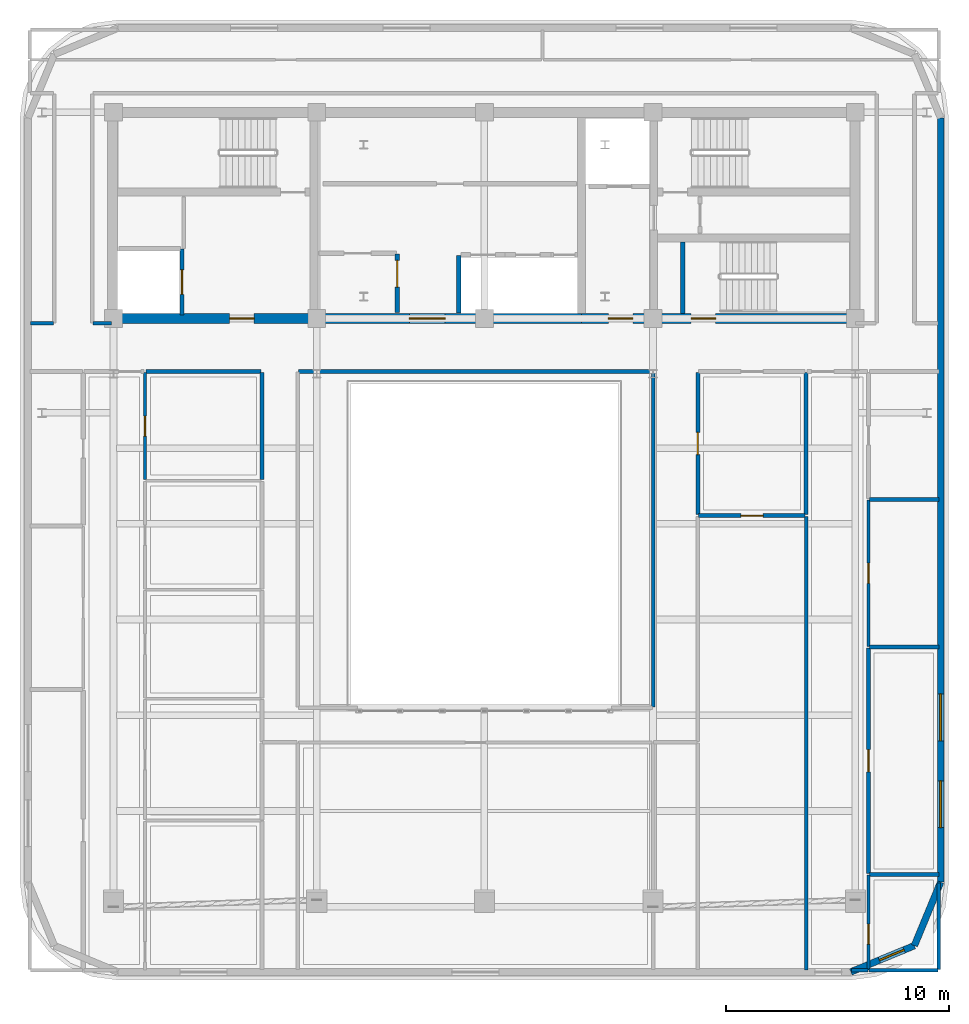
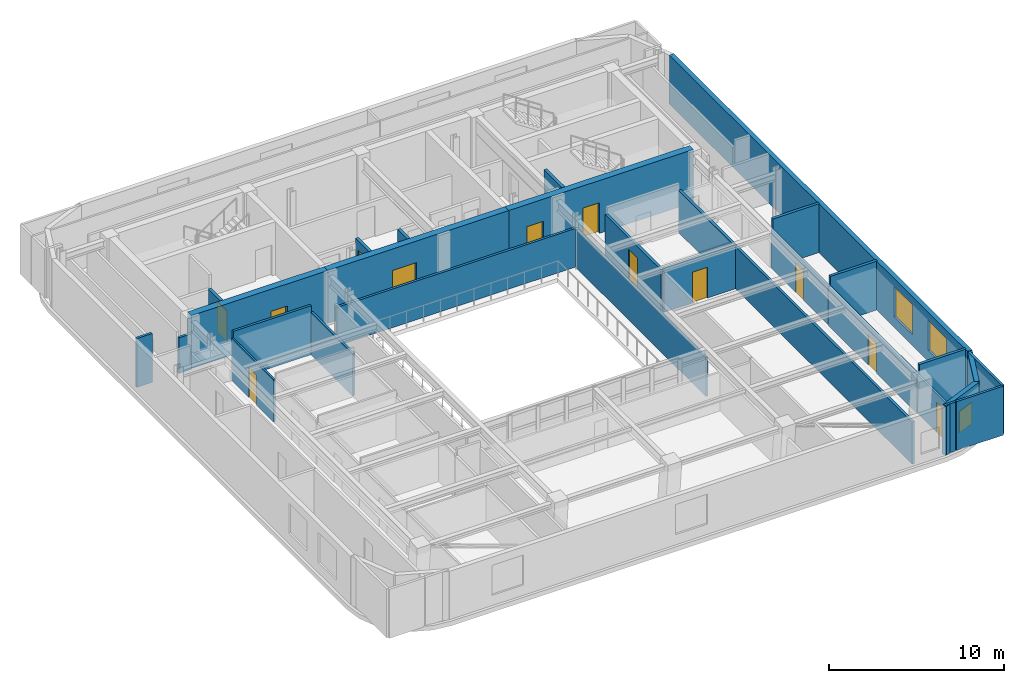
# One storey, part 7 of 12: 30 walls, 12 doors, 3 windows, 15 openings.
"""IFC4 building model written with IfcOpenShell, lengths in metres."""

from ifc_helpers import new_model, si_unit, direction, frame, frame_2d, origin, place, context, subcontext, project, spatial, rectangle, extrude, material, layer, layer_set, type_object, element, fill, save


model = new_model("IFC4")

# Units and contexts
model_context = context("Model", 3, precision=1e-05, world=origin(), true_north=direction((0.0, 1.0)))
body_context = subcontext(model_context, "Body", "Model", "MODEL_VIEW")
ifc_project = project(units=[si_unit("LENGTHUNIT", "METRE"), si_unit("AREAUNIT", "SQUARE_METRE"), si_unit("VOLUMEUNIT", "CUBIC_METRE"), si_unit("PLANEANGLEUNIT", "RADIAN"), si_unit("MASSUNIT", "GRAM", prefix="KILO")], contexts=[model_context])

# Site, building, storey
site_placement = place(None, origin())
site = spatial("IfcSite", under=ifc_project, at=site_placement, CompositionType="ELEMENT")
building_placement = place(site_placement, origin())
building = spatial("IfcBuilding", under=site, at=building_placement, Name="Zarnavel Station Tower", CompositionType="ELEMENT")
storey_placement = place(building_placement, frame((0.0, 0.0, 269.5)))
storey = spatial("IfcBuildingStorey", under=building, at=storey_placement, Name="L73", CompositionType="ELEMENT", Elevation=269.5)

# Wall, opening, door
ifc_material_1 = material(Name="Concrete C50/60", Category="concrete")
ifc_layer_1 = layer(ifc_material_1, 0.449951171875)
ifc_layer_set_1 = layer_set([ifc_layer_1], Name="CW_450")
wall_type_1 = type_object("IfcWallType", Name="CW_450", PredefinedType="SHEAR", material=ifc_layer_set_1)
wall_1_placement = place(storey_placement, frame((21.179931640625, 27.820068359375, 0.0), z_axis=(0.0, 0.0, 1.0), x_axis=(-1.0, 0.0, 0.0)))
wall_1 = element("IfcWall", 1, at=wall_1_placement, inside=storey, type_object=wall_type_1, Name="L73 Rear Core Shear Wall S-W", PredefinedType="SHEAR", context=body_context, shape_type="SweptSolid", body=[
    extrude(rectangle(XDim=9.030029296875, YDim=0.449951171875, at=frame_2d((4.51513671875, 0.0))), origin(), (0.0, 0.0, 1.0), 3.699951171875),
])
opening_1_placement = place(wall_1_placement, frame((2.679931640625, 0.0, 0.0)))
opening_1 = element("IfcOpeningElement", 2, at=opening_1_placement, cuts=wall_1, Name="Opening FD01", PredefinedType="OPENING", context=body_context, shape_type="SweptSolid", body=[
    extrude(rectangle(XDim=1.10009765625, YDim=2.14990234375, at=frame_2d((0.550048828125, 1.074951171875))), frame((0.0, 0.23486328125, 0.0), z_axis=(0.0, -1.0, 0.0), x_axis=(1.0, 0.0, 0.0)), (0.0, 0.0, 1.0), 0.469970703125),
])
ifc_material_2 = material(Name="Painted Galvanised Steel and Hardwood Leaf", Category="steel")
door_type_1 = type_object("IfcDoorType", Name="ID_STAIR_1100", OperationType="NOTDEFINED", PredefinedType="DOOR", material=ifc_material_2)
door_1_placement = place(opening_1_placement, origin())
door_1 = element("IfcDoor", 3, at=door_1_placement, inside=storey, type_object=door_type_1, Name="L73 West Firefighting Lobby Door", OperationType="SINGLE_SWING_RIGHT", OverallHeight=2.14990234375, OverallWidth=1.10009765625, PredefinedType="DOOR", context=body_context, shape_type="SweptSolid", body=[
    extrude(rectangle(XDim=1.10009765625, YDim=2.14990234375, at=frame_2d((0.550048828125, 1.074951171875))), frame((0.0, 0.02490234375, 0.0), z_axis=(0.0, -1.0, 0.0), x_axis=(1.0, 0.0, 0.0)), (0.0, 0.0, 1.0), 0.050048828125),
])
fill(opening_1, door_1)

wall_2_placement = place(storey_placement, frame((33.14990234375, 27.820068359375, 0.0), z_axis=(0.0, 0.0, 1.0), x_axis=(-1.0, 0.0, 0.0)))
wall_2 = element("IfcWall", 4, at=wall_2_placement, inside=storey, type_object=wall_type_1, Name="L73 Rear Core Shear Wall S-M", PredefinedType="SHEAR", context=body_context, shape_type="SweptSolid", body=[
    extrude(rectangle(XDim=11.969970703125, YDim=0.449951171875, at=frame_2d((5.98486328125, 0.0))), origin(), (0.0, 0.0, 1.0), 3.699951171875),
])
opening_2_placement = place(wall_2_placement, frame((6.10009765625, 0.0, 0.0)))
opening_2 = element("IfcOpeningElement", 5, at=opening_2_placement, cuts=wall_2, Name="Opening ID03", PredefinedType="OPENING", context=body_context, shape_type="SweptSolid", body=[
    extrude(rectangle(XDim=1.60009765625, YDim=2.199951171875, at=frame_2d((0.800048828125, 1.10009765625))), frame((0.0, 0.23486328125, 0.0), z_axis=(0.0, -1.0, 0.0), x_axis=(1.0, 0.0, 0.0)), (0.0, 0.0, 1.0), 0.469970703125),
])
ifc_material_3 = material(Name="Painted Galvanised Steel and Hardwood Leaf", Category="steel")
door_type_2 = type_object("IfcDoorType", Name="ID_PUBLIC_1600", OperationType="DOUBLE_DOOR_SINGLE_SWING", PredefinedType="DOOR", material=ifc_material_3)
door_2_placement = place(opening_2_placement, origin())
door_2 = element("IfcDoor", 6, at=door_2_placement, inside=storey, type_object=door_type_2, Name="L73 Passenger Lift Lobby Double Door", OperationType="SINGLE_SWING_LEFT", OverallHeight=2.199951171875, OverallWidth=1.60009765625, PredefinedType="DOOR", context=body_context, shape_type="SweptSolid", body=[
    extrude(rectangle(XDim=1.60009765625, YDim=2.199951171875, at=frame_2d((0.800048828125, 1.10009765625))), frame((0.0, 0.02490234375, 0.0), z_axis=(0.0, -1.0, 0.0), x_axis=(1.0, 0.0, 0.0)), (0.0, 0.0, 1.0), 0.050048828125),
])
fill(opening_2, door_2)

# Wall, openings, doors
wall_3_placement = place(storey_placement, frame((45.3798828125, 27.820068359375, 0.0), z_axis=(0.0, 0.0, 1.0), x_axis=(-1.0, 0.0, 0.0)))
wall_3 = element("IfcWall", 7, at=wall_3_placement, inside=storey, type_object=wall_type_1, Name="L73 Rear Core Shear Wall S-E", PredefinedType="SHEAR", context=body_context, shape_type="SweptSolid", body=[
    extrude(rectangle(XDim=12.22998046875, YDim=0.449951171875, at=frame_2d((6.114990234375, 0.0))), origin(), (0.0, 0.0, 1.0), 3.699951171875),
])
opening_3_placement = place(wall_3_placement, frame((9.929931640625, 0.0, 0.0)))
opening_3 = element("IfcOpeningElement", 8, at=opening_3_placement, cuts=wall_3, Name="Opening FD01", PredefinedType="OPENING", context=body_context, shape_type="SweptSolid", body=[
    extrude(rectangle(XDim=1.10009765625, YDim=2.14990234375, at=frame_2d((0.550048828125, 1.074951171875))), frame((0.0, 0.23486328125, 0.0), z_axis=(0.0, -1.0, 0.0), x_axis=(1.0, 0.0, 0.0)), (0.0, 0.0, 1.0), 0.469970703125),
])
opening_4_placement = place(wall_3_placement, frame((6.22998046875, 0.0, 0.0)))
opening_4 = element("IfcOpeningElement", 9, at=opening_4_placement, cuts=wall_3, Name="Opening FD01", PredefinedType="OPENING", context=body_context, shape_type="SweptSolid", body=[
    extrude(rectangle(XDim=1.10009765625, YDim=2.14990234375, at=frame_2d((0.550048828125, 1.074951171875))), frame((0.0, 0.23486328125, 0.0), z_axis=(0.0, -1.0, 0.0), x_axis=(1.0, 0.0, 0.0)), (0.0, 0.0, 1.0), 0.469970703125),
])
door_3_placement = place(opening_3_placement, origin())
door_3 = element("IfcDoor", 10, at=door_3_placement, inside=storey, type_object=door_type_1, Name="L73 East Firefighting Lobby Door", OperationType="SINGLE_SWING_LEFT", OverallHeight=2.14990234375, OverallWidth=1.10009765625, PredefinedType="DOOR", context=body_context, shape_type="SweptSolid", body=[
    extrude(rectangle(XDim=1.10009765625, YDim=2.14990234375, at=frame_2d((0.550048828125, 1.074951171875))), frame((0.0, 0.02490234375, 0.0), z_axis=(0.0, -1.0, 0.0), x_axis=(1.0, 0.0, 0.0)), (0.0, 0.0, 1.0), 0.050048828125),
])
fill(opening_3, door_3)
door_4_placement = place(opening_4_placement, origin())
door_4 = element("IfcDoor", 11, at=door_4_placement, inside=storey, type_object=door_type_1, Name="L73 Stair ST3 Corridor Fire Door", OperationType="SINGLE_SWING_RIGHT", OverallHeight=2.14990234375, OverallWidth=1.10009765625, PredefinedType="DOOR", context=body_context, shape_type="SweptSolid", body=[
    extrude(rectangle(XDim=1.10009765625, YDim=2.14990234375, at=frame_2d((0.550048828125, 1.074951171875))), frame((0.0, 0.02490234375, 0.0), z_axis=(0.0, -1.0, 0.0), x_axis=(1.0, 0.0, 0.0)), (0.0, 0.0, 1.0), 0.050048828125),
])
fill(opening_4, door_4)

# Wall, opening, window
ifc_material_4 = material(Name="Precast concrete C45/55 (Dark Basalt Finish)", Category="masonry")
ifc_layer_2 = layer(ifc_material_4, 0.300048828125)
ifc_layer_set_2 = layer_set([ifc_layer_2], Name="EW_BASALT_300")
wall_type_2 = type_object("IfcWallType", Name="EW_BASALT_300", PredefinedType="SOLIDWALL", material=ifc_layer_set_2)
wall_4_placement = place(storey_placement, frame((48.04248046875, -0.24267578125, 0.0), z_axis=(0.0, 0.0, 1.0), x_axis=(-0.92389884758, -0.382636798336, 0.0)))
wall_4 = element("IfcWall", 12, at=wall_4_placement, inside=storey, type_object=wall_type_2, Name="L73 Exterior Basalt Masonry Frame Wall 01", PredefinedType="SOLIDWALL", context=body_context, shape_type="SweptSolid", body=[
    extrude(rectangle(XDim=3.07666015625, YDim=0.300048828125, at=frame_2d((1.538330078125, 0.0))), origin(), (0.0, 0.0, 1.0), 3.419921875),
])
opening_5_placement = place(wall_4_placement, frame((0.49658203125, 0.0, 0.75)))
opening_5 = element("IfcOpeningElement", 13, at=opening_5_placement, cuts=wall_4, Name="Opening WN08", PredefinedType="OPENING", context=body_context, shape_type="SweptSolid", body=[
    extrude(rectangle(XDim=1.199951171875, YDim=1.5, at=frame_2d((0.60009765625, 0.75))), frame((0.0, 0.159912109375, 0.0), z_axis=(0.0, -1.0, 0.0), x_axis=(1.0, 0.0, 0.0)), (0.0, 0.0, 1.0), 0.320068359375),
])
ifc_material_5 = material(Name="Thermally Broken Black Aluminium and Low-E Dark Glass", Category="aluminium")
window_type_1 = type_object("IfcWindowType", Name="WN_1200x1500", PartitioningType="SINGLE_PANEL", PredefinedType="WINDOW", material=ifc_material_5)
window_1_placement = place(opening_5_placement, origin())
window_1 = element("IfcWindow", 14, at=window_1_placement, inside=storey, type_object=window_type_1, Name="L73 Recessed Facade Window 01", OverallHeight=1.5, OverallWidth=1.199951171875, PartitioningType="SINGLE_PANEL", PredefinedType="WINDOW", context=body_context, shape_type="SweptSolid", body=[
    extrude(rectangle(XDim=1.199951171875, YDim=1.5, at=frame_2d((0.60009765625, 0.75))), frame((0.0, 0.030029296875, 0.0), z_axis=(0.0, -1.0, 0.0), x_axis=(1.0, 0.0, 0.0)), (0.0, 0.0, 1.0), 0.06005859375),
])
fill(opening_5, window_1)

# Wall
wall_5_placement = place(storey_placement, frame((49.219970703125, 2.60009765625, 0.0), z_axis=(0.0, 0.0, 1.0), x_axis=(-0.382676475685, -0.923882414032, 0.0)))
element("IfcWall", 15, at=wall_5_placement, inside=storey, type_object=wall_type_2, Name="L73 Exterior Basalt Masonry Frame Wall 02", PredefinedType="SOLIDWALL", context=body_context, shape_type="SweptSolid", body=[
    extrude(rectangle(XDim=3.076904296875, YDim=0.300048828125, at=frame_2d((1.53857421875, 0.0))), origin(), (0.0, 0.0, 1.0), 3.419921875),
])

# Wall, openings, windows
wall_6_placement = place(storey_placement, frame((49.219970703125, 36.800048828125, 0.0), z_axis=(0.0, 0.0, 1.0), x_axis=(0.0, -1.0, 0.0)))
wall_6 = element("IfcWall", 16, at=wall_6_placement, inside=storey, type_object=wall_type_2, Name="L73 Exterior Basalt Masonry Frame Wall 03", PredefinedType="SOLIDWALL", context=body_context, shape_type="SweptSolid", body=[
    extrude(rectangle(XDim=34.199951171875, YDim=0.300048828125, at=frame_2d((17.10009765625, 0.0))), origin(), (0.0, 0.0, 1.0), 3.419921875),
])
opening_6_placement = place(wall_6_placement, frame((25.775390625, 0.0, 0.75)))
opening_6 = element("IfcOpeningElement", 17, at=opening_6_placement, cuts=wall_6, Name="Opening WN05", PredefinedType="OPENING", context=body_context, shape_type="SweptSolid", body=[
    extrude(rectangle(XDim=2.10009765625, YDim=2.10009765625, at=frame_2d((1.050048828125, 1.050048828125))), frame((0.0, 0.159912109375, 0.0), z_axis=(0.0, -1.0, 0.0), x_axis=(1.0, 0.0, 0.0)), (0.0, 0.0, 1.0), 0.320068359375),
])
opening_7_placement = place(wall_6_placement, frame((29.663818359375, 0.0, 0.75)))
opening_7 = element("IfcOpeningElement", 18, at=opening_7_placement, cuts=wall_6, Name="Opening WN05", PredefinedType="OPENING", context=body_context, shape_type="SweptSolid", body=[
    extrude(rectangle(XDim=2.10009765625, YDim=2.10009765625, at=frame_2d((1.050048828125, 1.050048828125))), frame((0.0, 0.159912109375, 0.0), z_axis=(0.0, -1.0, 0.0), x_axis=(1.0, 0.0, 0.0)), (0.0, 0.0, 1.0), 0.320068359375),
])
ifc_material_6 = material(Name="Thermally Broken Black Aluminium and Low-E Dark Glass", Category="aluminium")
window_type_2 = type_object("IfcWindowType", Name="WN_2100x2100", PartitioningType="TRIPLE_PANEL_VERTICAL", PredefinedType="WINDOW", material=ifc_material_6)
window_2_placement = place(opening_6_placement, origin())
window_2 = element("IfcWindow", 19, at=window_2_placement, inside=storey, type_object=window_type_2, Name="L73 Recessed Facade Window 01", OverallHeight=2.10009765625, OverallWidth=2.10009765625, PartitioningType="SINGLE_PANEL", PredefinedType="WINDOW", context=body_context, shape_type="SweptSolid", body=[
    extrude(rectangle(XDim=2.10009765625, YDim=2.10009765625, at=frame_2d((1.050048828125, 1.050048828125))), frame((0.0, 0.030029296875, 0.0), z_axis=(0.0, -1.0, 0.0), x_axis=(1.0, 0.0, 0.0)), (0.0, 0.0, 1.0), 0.06005859375),
])
fill(opening_6, window_2)
window_3_placement = place(opening_7_placement, origin())
window_3 = element("IfcWindow", 20, at=window_3_placement, inside=storey, type_object=window_type_2, Name="L73 Recessed Facade Window 02", OverallHeight=2.10009765625, OverallWidth=2.10009765625, PartitioningType="SINGLE_PANEL", PredefinedType="WINDOW", context=body_context, shape_type="SweptSolid", body=[
    extrude(rectangle(XDim=2.10009765625, YDim=2.10009765625, at=frame_2d((1.050048828125, 1.050048828125))), frame((0.0, 0.030029296875, 0.0), z_axis=(0.0, -1.0, 0.0), x_axis=(1.0, 0.0, 0.0)), (0.0, 0.0, 1.0), 0.06005859375),
])
fill(opening_7, window_3)

# Walls
ifc_material_7 = material(Name="Gypsum Twin-Stud Acoustic Fire Partition", Category="concrete")
ifc_layer_3 = layer(ifc_material_7, 0.159912109375)
ifc_layer_set_3 = layer_set([ifc_layer_3], Name="PT_DEMISE_160")
wall_type_3 = type_object("IfcWallType", Name="PT_DEMISE_160", PredefinedType="PARTITIONING", material=ifc_layer_set_3)
wall_7_placement = place(storey_placement, frame((13.652099609375, 25.449951171875, 0.0), z_axis=(0.0, 0.0, 1.0), x_axis=(1.0, 0.0, 0.0)))
element("IfcWall", 21, at=wall_7_placement, inside=storey, type_object=wall_type_3, Name="L73 Partition COR-S-UW1B5", PredefinedType="PARTITIONING", context=body_context, shape_type="SweptSolid", body=[
    extrude(rectangle(XDim=5.157958984375, YDim=0.159912109375, at=frame_2d((2.5791015625, 0.0))), origin(), (0.0, 0.0, 1.0), 3.419921875),
])
wall_8_placement = place(storey_placement, frame((18.85009765625, 20.60791015625, 0.0), z_axis=(0.0, 0.0, 1.0), x_axis=(0.0, 1.0, 0.0)))
element("IfcWall", 22, at=wall_8_placement, inside=storey, type_object=wall_type_3, Name="L73 Partition COR-AW-UW1B5", PredefinedType="PARTITIONING", context=body_context, shape_type="SweptSolid", body=[
    extrude(rectangle(XDim=4.802001953125, YDim=0.159912109375, at=frame_2d((2.40087890625, 0.0))), origin(), (0.0, 0.0, 1.0), 2.9599609375),
])
wall_9_placement = place(storey_placement, frame((43.199951171875, -1.340087890625, 0.0), z_axis=(0.0, 0.0, 1.0), x_axis=(0.0, 1.0, 0.0)))
element("IfcWall", 23, at=wall_9_placement, inside=storey, type_object=wall_type_3, Name="L73 Partition L73STR-UE1LV", PredefinedType="PARTITIONING", context=body_context, shape_type="SweptSolid", body=[
    extrude(rectangle(XDim=20.300048828125, YDim=0.159912109375, at=frame_2d((10.14990234375, 0.0))), origin(), (0.0, 0.0, 1.0), 2.9599609375),
])
wall_10_placement = place(storey_placement, frame((20.47998046875, 25.449951171875, 0.0), z_axis=(0.0, 0.0, 1.0), x_axis=(1.0, 0.0, 0.0)))
element("IfcWall", 24, at=wall_10_placement, inside=storey, type_object=wall_type_3, Name="L73 Enclosure Wall COR-S", PredefinedType="PARTITIONING", context=body_context, shape_type="SweptSolid", body=[
    extrude(rectangle(XDim=15.840087890625, YDim=0.159912109375, at=frame_2d((7.919921875, 0.0))), origin(), (0.0, 0.0, 1.0), 2.699951171875),
])
wall_11_placement = place(storey_placement, frame((8.489990234375, 27.60009765625, 0.0), z_axis=(0.0, 0.0, 1.0), x_axis=(1.0, 0.0, 0.0)))
element("IfcWall", 25, at=wall_11_placement, inside=storey, type_object=wall_type_3, Name="L73 Enclosure Wall COR-S", PredefinedType="PARTITIONING", context=body_context, shape_type="SweptSolid", body=[
    extrude(rectangle(XDim=1.030029296875, YDim=0.159912109375, at=frame_2d((0.51513671875, 0.0))), origin(), (0.0, 0.0, 1.0), 3.419921875),
])
wall_12_placement = place(storey_placement, frame((11.280029296875, 27.60009765625, 0.0), z_axis=(0.0, 0.0, 1.0), x_axis=(1.0, 0.0, 0.0)))
element("IfcWall", 26, at=wall_12_placement, inside=storey, type_object=wall_type_3, Name="L73 Enclosure Wall COR-S", PredefinedType="PARTITIONING", context=body_context, shape_type="SweptSolid", body=[
    extrude(rectangle(XDim=0.840087890625, YDim=0.159912109375, at=frame_2d((0.419921875, 0.0))), origin(), (0.0, 0.0, 1.0), 2.489990234375),
])
wall_13_placement = place(storey_placement, frame((36.35009765625, 10.429931640625, 0.0), z_axis=(0.0, 0.0, 1.0), x_axis=(0.0, 1.0, 0.0)))
element("IfcWall", 27, at=wall_13_placement, inside=storey, type_object=wall_type_3, Name="L73 Enclosure Wall COR-AE", PredefinedType="PARTITIONING", context=body_context, shape_type="SweptSolid", body=[
    extrude(rectangle(XDim=14.989990234375, YDim=0.159912109375, at=frame_2d((7.4951171875, 0.0))), origin(), (0.0, 0.0, 1.0), 2.699951171875),
])
wall_14_placement = place(storey_placement, frame((45.22998046875, -1.340087890625, 0.0), z_axis=(0.0, 0.0, 1.0), x_axis=(1.0, 0.0, 0.0)))
element("IfcWall", 28, at=wall_14_placement, inside=storey, type_object=wall_type_3, Name="L73 Enclosure Wall UE1LV", PredefinedType="PARTITIONING", context=body_context, shape_type="SweptSolid", body=[
    extrude(rectangle(XDim=0.73193359375, YDim=0.159912109375, at=frame_2d((0.365966796875, 0.0))), origin(), (0.0, 0.0, 1.0), 3.419921875),
])
wall_15_placement = place(storey_placement, frame((46.02197265625, -1.340087890625, 0.0), z_axis=(0.0, 0.0, 1.0), x_axis=(1.0, 0.0, 0.0)))
element("IfcWall", 29, at=wall_15_placement, inside=storey, type_object=wall_type_3, Name="L73 Enclosure Wall UE1B1", PredefinedType="PARTITIONING", context=body_context, shape_type="SweptSolid", body=[
    extrude(rectangle(XDim=3.088134765625, YDim=0.159912109375, at=frame_2d((1.5439453125, 0.0))), origin(), (0.0, 0.0, 1.0), 3.419921875),
])
wall_16_placement = place(storey_placement, frame((49.139892578125, -1.31005859375, 0.0), z_axis=(0.0, 0.0, 1.0), x_axis=(0.0, 1.0, 0.0)))
element("IfcWall", 30, at=wall_16_placement, inside=storey, type_object=wall_type_3, Name="L73 Enclosure Wall UE1B1", PredefinedType="PARTITIONING", context=body_context, shape_type="SweptSolid", body=[
    extrude(rectangle(XDim=3.880126953125, YDim=0.159912109375, at=frame_2d((1.93994140625, 0.0))), origin(), (0.0, 0.0, 1.0), 3.419921875),
])

# Wall, opening, door
ifc_material_8 = material(Name="Gypsum Metal-Stud Interior Partition", Category="concrete")
ifc_layer_4 = layer(ifc_material_8, 0.1201171875)
ifc_layer_set_4 = layer_set([ifc_layer_4], Name="PT_ROOM_120")
wall_type_4 = type_object("IfcWallType", Name="PT_ROOM_120", PredefinedType="PARTITIONING", material=ifc_layer_set_4)
wall_17_placement = place(storey_placement, frame((13.612060546875, 20.60791015625, 0.0), z_axis=(0.0, 0.0, 1.0), x_axis=(0.0, 1.0, 0.0)))
wall_17 = element("IfcWall", 31, at=wall_17_placement, inside=storey, type_object=wall_type_4, Name="L73 Partition UW1LV-UW1B5", PredefinedType="PARTITIONING", context=body_context, shape_type="SweptSolid", body=[
    extrude(rectangle(XDim=4.802001953125, YDim=0.1201171875, at=frame_2d((2.40087890625, 0.0))), origin(), (0.0, 0.0, 1.0), 2.9599609375),
])
opening_8_placement = place(wall_17_placement, frame((1.950927734375, 0.0, 0.0)))
opening_8 = element("IfcOpeningElement", 32, at=opening_8_placement, cuts=wall_17, Name="Opening ID01", PredefinedType="OPENING", context=body_context, shape_type="SweptSolid", body=[
    extrude(rectangle(XDim=0.89990234375, YDim=2.10009765625, at=frame_2d((0.449951171875, 1.050048828125))), frame((0.0, 0.070068359375, 0.0), z_axis=(0.0, -1.0, 0.0), x_axis=(1.0, 0.0, 0.0)), (0.0, 0.0, 1.0), 0.14013671875),
])
ifc_material_9 = material(Name="Painted Galvanised Steel and Hardwood Leaf", Category="steel")
door_type_3 = type_object("IfcDoorType", Name="ID_ROOM_900", OperationType="NOTDEFINED", PredefinedType="DOOR", material=ifc_material_9)
door_5_placement = place(opening_8_placement, origin())
door_5 = element("IfcDoor", 33, at=door_5_placement, inside=storey, type_object=door_type_3, Name="L73 Door UW1LV-UW1B5", OperationType="SINGLE_SWING_LEFT", OverallHeight=2.10009765625, OverallWidth=0.89990234375, PredefinedType="DOOR", context=body_context, shape_type="SweptSolid", body=[
    extrude(rectangle(XDim=0.89990234375, YDim=2.10009765625, at=frame_2d((0.449951171875, 1.050048828125))), frame((0.0, 0.02490234375, 0.0), z_axis=(0.0, -1.0, 0.0), x_axis=(1.0, 0.0, 0.0)), (0.0, 0.0, 1.0), 0.050048828125),
])
fill(opening_8, door_5)

wall_18_placement = place(storey_placement, frame((45.991943359375, 2.907958984375, 0.0), z_axis=(0.0, 0.0, 1.0), x_axis=(0.0, -1.0, 0.0)))
wall_18 = element("IfcWall", 34, at=wall_18_placement, inside=storey, type_object=wall_type_4, Name="L73 Partition UE1LV-UE1B1", PredefinedType="PARTITIONING", context=body_context, shape_type="SweptSolid", body=[
    extrude(rectangle(XDim=4.248046875, YDim=0.1201171875, at=frame_2d((2.1240234375, 0.0))), origin(), (0.0, 0.0, 1.0), 2.699951171875),
])
opening_9_placement = place(wall_18_placement, frame((2.185302734375, 0.0, 0.0)))
opening_9 = element("IfcOpeningElement", 35, at=opening_9_placement, cuts=wall_18, Name="Opening ID01", PredefinedType="OPENING", context=body_context, shape_type="SweptSolid", body=[
    extrude(rectangle(XDim=0.89990234375, YDim=2.10009765625, at=frame_2d((0.449951171875, 1.050048828125))), frame((0.0, 0.070068359375, 0.0), z_axis=(0.0, -1.0, 0.0), x_axis=(1.0, 0.0, 0.0)), (0.0, 0.0, 1.0), 0.14013671875),
])
door_6_placement = place(opening_9_placement, origin())
door_6 = element("IfcDoor", 36, at=door_6_placement, inside=storey, type_object=door_type_3, Name="L73 Door UE1LV-UE1B1", OperationType="SINGLE_SWING_LEFT", OverallHeight=2.10009765625, OverallWidth=0.89990234375, PredefinedType="DOOR", context=body_context, shape_type="SweptSolid", body=[
    extrude(rectangle(XDim=0.89990234375, YDim=2.10009765625, at=frame_2d((0.449951171875, 1.050048828125))), frame((0.0, 0.02490234375, 0.0), z_axis=(0.0, -1.0, 0.0), x_axis=(1.0, 0.0, 0.0)), (0.0, 0.0, 1.0), 0.050048828125),
])
fill(opening_9, door_6)

wall_19_placement = place(storey_placement, frame((45.991943359375, 13.153076171875, 0.0), z_axis=(0.0, 0.0, 1.0), x_axis=(0.0, 1.0, 0.0)))
wall_19 = element("IfcWall", 37, at=wall_19_placement, inside=storey, type_object=wall_type_4, Name="L73 Partition UE1LV-UE1UT", PredefinedType="PARTITIONING", context=body_context, shape_type="SweptSolid", body=[
    extrude(rectangle(XDim=6.538818359375, YDim=0.1201171875, at=frame_2d((3.26953125, 0.0))), origin(), (0.0, 0.0, 1.0), 2.699951171875),
])
opening_10_placement = place(wall_19_placement, frame((2.819580078125, 0.0, 0.0)))
opening_10 = element("IfcOpeningElement", 38, at=opening_10_placement, cuts=wall_19, Name="Opening ID01", PredefinedType="OPENING", context=body_context, shape_type="SweptSolid", body=[
    extrude(rectangle(XDim=0.89990234375, YDim=2.10009765625, at=frame_2d((0.449951171875, 1.050048828125))), frame((0.0, 0.070068359375, 0.0), z_axis=(0.0, -1.0, 0.0), x_axis=(1.0, 0.0, 0.0)), (0.0, 0.0, 1.0), 0.14013671875),
])
door_7_placement = place(opening_10_placement, origin())
door_7 = element("IfcDoor", 39, at=door_7_placement, inside=storey, type_object=door_type_3, Name="L73 Door UE1LV-UE1UT", OperationType="SINGLE_SWING_LEFT", OverallHeight=2.10009765625, OverallWidth=0.89990234375, PredefinedType="DOOR", context=body_context, shape_type="SweptSolid", body=[
    extrude(rectangle(XDim=0.89990234375, YDim=2.10009765625, at=frame_2d((0.449951171875, 1.050048828125))), frame((0.0, 0.02490234375, 0.0), z_axis=(0.0, -1.0, 0.0), x_axis=(1.0, 0.0, 0.0)), (0.0, 0.0, 1.0), 0.050048828125),
])
fill(opening_10, door_7)

ifc_material_10 = material(Name="Precast concrete C45/55 (Fire Shaft Blockwork)", Category="masonry")
ifc_layer_5 = layer(ifc_material_10, 0.199951171875)
ifc_layer_set_5 = layer_set([ifc_layer_5], Name="PT_SHAFT_200")
wall_type_5 = type_object("IfcWallType", Name="PT_SHAFT_200", PredefinedType="PARTITIONING", material=ifc_layer_set_5)
wall_20_placement = place(storey_placement, frame((15.27001953125, 27.969970703125, 0.0), z_axis=(0.0, 0.0, 1.0), x_axis=(0.0, 1.0, 0.0)))
wall_20 = element("IfcWall", 40, at=wall_20_placement, inside=storey, type_object=wall_type_5, Name="L73 Lift FFL-01 Shaft Front Wall", PredefinedType="PARTITIONING", context=body_context, shape_type="SweptSolid", body=[
    extrude(rectangle(XDim=2.9599609375, YDim=0.199951171875, at=frame_2d((1.47998046875, 0.0))), origin(), (0.0, 0.0, 1.0), 2.489990234375),
])
opening_11_placement = place(wall_20_placement, frame((0.929931640625, 0.0, 0.0)))
opening_11 = element("IfcOpeningElement", 41, at=opening_11_placement, cuts=wall_20, Name="Opening LD01", PredefinedType="OPENING", context=body_context, shape_type="SweptSolid", body=[
    extrude(rectangle(XDim=1.10009765625, YDim=2.14990234375, at=frame_2d((0.550048828125, 1.074951171875))), frame((0.0, 0.10986328125, 0.0), z_axis=(0.0, -1.0, 0.0), x_axis=(1.0, 0.0, 0.0)), (0.0, 0.0, 1.0), 0.219970703125),
])
ifc_material_11 = material(Name="Painted Galvanised Steel and Hardwood Leaf", Category="steel")
door_type_4 = type_object("IfcDoorType", Name="LD_FF_1100", OperationType="DOUBLE_DOOR_SLIDING", PredefinedType="DOOR", material=ifc_material_11)
door_8_placement = place(opening_11_placement, origin())
door_8 = element("IfcDoor", 42, at=door_8_placement, inside=storey, type_object=door_type_4, Name="L73 Lift FFL-01 Sliding Landing Door", OperationType="DOUBLE_DOOR_SLIDING", OverallHeight=2.14990234375, OverallWidth=1.10009765625, PredefinedType="DOOR", context=body_context, shape_type="SweptSolid", body=[
    extrude(rectangle(XDim=1.10009765625, YDim=2.14990234375, at=frame_2d((0.550048828125, 1.074951171875))), frame((0.0, 0.02490234375, 0.0), z_axis=(0.0, -1.0, 0.0), x_axis=(1.0, 0.0, 0.0)), (0.0, 0.0, 1.0), 0.050048828125),
])
fill(opening_11, door_8)

# Walls
wall_21_placement = place(storey_placement, frame((27.64990234375, 28.070068359375, 0.0), z_axis=(0.0, 0.0, 1.0), x_axis=(0.0, 1.0, 0.0)))
element("IfcWall", 43, at=wall_21_placement, inside=storey, type_object=wall_type_5, Name="L73 High-Rise Lift Bank West Shaft Wall", PredefinedType="PARTITIONING", context=body_context, shape_type="SweptSolid", body=[
    extrude(rectangle(XDim=2.579833984375, YDim=0.199951171875, at=frame_2d((1.2900390625, 0.0))), origin(), (0.0, 0.0, 1.0), 2.489990234375),
])
wall_22_placement = place(storey_placement, frame((37.679931640625, 28.044921875, 0.0), z_axis=(0.0, 0.0, 1.0), x_axis=(0.0, 1.0, 0.0)))
element("IfcWall", 44, at=wall_22_placement, inside=storey, type_object=wall_type_5, Name="L73 Stair ST3 West Shaft Wall", PredefinedType="PARTITIONING", context=body_context, shape_type="SweptSolid", body=[
    extrude(rectangle(XDim=3.205078125, YDim=0.199951171875, at=frame_2d((1.6025390625, 0.0))), origin(), (0.0, 0.0, 1.0), 2.800048828125),
])

# Wall, opening, door
wall_23_placement = place(storey_placement, frame((24.89990234375, 28.090087890625, 0.0), z_axis=(0.0, 0.0, 1.0), x_axis=(0.0, 1.0, 0.0)))
wall_23 = element("IfcWall", 45, at=wall_23_placement, inside=storey, type_object=wall_type_5, Name="L73 Partition LLOBS-CS1", PredefinedType="PARTITIONING", context=body_context, shape_type="SweptSolid", body=[
    extrude(rectangle(XDim=2.619873046875, YDim=0.199951171875, at=frame_2d((1.31005859375, 0.0))), origin(), (0.0, 0.0, 1.0), 2.800048828125),
])
opening_12_placement = place(wall_23_placement, frame((1.137451171875, 0.0, 0.0)))
opening_12 = element("IfcOpeningElement", 46, at=opening_12_placement, cuts=wall_23, Name="Opening FD03", PredefinedType="OPENING", context=body_context, shape_type="SweptSolid", body=[
    extrude(rectangle(XDim=1.199951171875, YDim=2.14990234375, at=frame_2d((0.60009765625, 1.074951171875))), frame((0.0, 0.10986328125, 0.0), z_axis=(0.0, -1.0, 0.0), x_axis=(1.0, 0.0, 0.0)), (0.0, 0.0, 1.0), 0.219970703125),
])
ifc_material_12 = material(Name="Painted Galvanised Steel and Hardwood Leaf", Category="steel")
door_type_5 = type_object("IfcDoorType", Name="ID_PLANT_1200", OperationType="NOTDEFINED", PredefinedType="DOOR", material=ifc_material_12)
door_9_placement = place(opening_12_placement, origin())
door_9 = element("IfcDoor", 47, at=door_9_placement, inside=storey, type_object=door_type_5, Name="L73 Door LLOBS-CS1", OperationType="SINGLE_SWING_RIGHT", OverallHeight=2.14990234375, OverallWidth=1.199951171875, PredefinedType="DOOR", context=body_context, shape_type="SweptSolid", body=[
    extrude(rectangle(XDim=1.199951171875, YDim=2.14990234375, at=frame_2d((0.60009765625, 1.074951171875))), frame((0.0, 0.02490234375, 0.0), z_axis=(0.0, -1.0, 0.0), x_axis=(1.0, 0.0, 0.0)), (0.0, 0.0, 1.0), 0.050048828125),
])
fill(opening_12, door_9)

ifc_material_13 = material(Name="Moisture-Resistant Plumbing Chase Wall", Category="concrete")
ifc_layer_6 = layer(ifc_material_13, 0.179931640625)
ifc_layer_set_6 = layer_set([ifc_layer_6], Name="PW_PLUMB_180")
wall_type_6 = type_object("IfcWallType", Name="PW_PLUMB_180", PredefinedType="PLUMBINGWALL", material=ifc_layer_set_6)
wall_24_placement = place(storey_placement, frame((38.35009765625, 19.0400390625, 0.0), z_axis=(0.0, 0.0, 1.0), x_axis=(0.0, 1.0, 0.0)))
wall_24 = element("IfcWall", 48, at=wall_24_placement, inside=storey, type_object=wall_type_6, Name="L73 Partition COR-AE-L73KIT", PredefinedType="PLUMBINGWALL", context=body_context, shape_type="SweptSolid", body=[
    extrude(rectangle(XDim=6.369873046875, YDim=0.179931640625, at=frame_2d((3.18505859375, 0.0))), origin(), (0.0, 0.0, 1.0), 2.9599609375),
])
opening_13_placement = place(wall_24_placement, frame((2.68505859375, 0.0, 0.0)))
opening_13 = element("IfcOpeningElement", 49, at=opening_13_placement, cuts=wall_24, Name="Opening FD02", PredefinedType="OPENING", context=body_context, shape_type="SweptSolid", body=[
    extrude(rectangle(XDim=1.0, YDim=2.14990234375, at=frame_2d((0.5, 1.074951171875))), frame((0.0, 0.099853515625, 0.0), z_axis=(0.0, -1.0, 0.0), x_axis=(1.0, 0.0, 0.0)), (0.0, 0.0, 1.0), 0.199951171875),
])
ifc_material_14 = material(Name="Painted Galvanised Steel and Hardwood Leaf", Category="steel")
door_type_6 = type_object("IfcDoorType", Name="ID_ENTRY_1000", OperationType="NOTDEFINED", PredefinedType="DOOR", material=ifc_material_14)
door_10_placement = place(opening_13_placement, origin())
door_10 = element("IfcDoor", 50, at=door_10_placement, inside=storey, type_object=door_type_6, Name="L73 Door COR-AE-L73KIT", OperationType="SINGLE_SWING_RIGHT", OverallHeight=2.14990234375, OverallWidth=1.0, PredefinedType="DOOR", context=body_context, shape_type="SweptSolid", body=[
    extrude(rectangle(XDim=1.0, YDim=2.14990234375, at=frame_2d((0.5, 1.074951171875))), frame((0.0, 0.02490234375, 0.0), z_axis=(0.0, -1.0, 0.0), x_axis=(1.0, 0.0, 0.0)), (0.0, 0.0, 1.0), 0.050048828125),
])
fill(opening_13, door_10)

wall_25_placement = place(storey_placement, frame((38.389892578125, 19.0, 0.0), z_axis=(0.0, 0.0, 1.0), x_axis=(1.0, 0.0, 0.0)))
wall_25 = element("IfcWall", 51, at=wall_25_placement, inside=storey, type_object=wall_type_6, Name="L73 Partition L73KIT-L73STR", PredefinedType="PLUMBINGWALL", context=body_context, shape_type="SweptSolid", body=[
    extrude(rectangle(XDim=4.77001953125, YDim=0.179931640625, at=frame_2d((2.385009765625, 0.0))), origin(), (0.0, 0.0, 1.0), 3.090087890625),
])
opening_14_placement = place(wall_25_placement, frame((1.885009765625, 0.0, 0.0)))
opening_14 = element("IfcOpeningElement", 52, at=opening_14_placement, cuts=wall_25, Name="Opening FD02", PredefinedType="OPENING", context=body_context, shape_type="SweptSolid", body=[
    extrude(rectangle(XDim=1.0, YDim=2.14990234375, at=frame_2d((0.5, 1.074951171875))), frame((0.0, 0.099853515625, 0.0), z_axis=(0.0, -1.0, 0.0), x_axis=(1.0, 0.0, 0.0)), (0.0, 0.0, 1.0), 0.199951171875),
])
door_11_placement = place(opening_14_placement, origin())
door_11 = element("IfcDoor", 53, at=door_11_placement, inside=storey, type_object=door_type_6, Name="L73 Door L73KIT-L73STR", OperationType="SINGLE_SWING_RIGHT", OverallHeight=2.14990234375, OverallWidth=1.0, PredefinedType="DOOR", context=body_context, shape_type="SweptSolid", body=[
    extrude(rectangle(XDim=1.0, YDim=2.14990234375, at=frame_2d((0.5, 1.074951171875))), frame((0.0, 0.02490234375, 0.0), z_axis=(0.0, -1.0, 0.0), x_axis=(1.0, 0.0, 0.0)), (0.0, 0.0, 1.0), 0.050048828125),
])
fill(opening_14, door_11)

# Wall
wall_26_placement = place(storey_placement, frame((43.199951171875, 19.0400390625, 0.0), z_axis=(0.0, 0.0, 1.0), x_axis=(0.0, 1.0, 0.0)))
element("IfcWall", 54, at=wall_26_placement, inside=storey, type_object=wall_type_6, Name="L73 Partition L73KIT-UE1LV", PredefinedType="PLUMBINGWALL", context=body_context, shape_type="SweptSolid", body=[
    extrude(rectangle(XDim=6.369873046875, YDim=0.179931640625, at=frame_2d((3.18505859375, 0.0))), origin(), (0.0, 0.0, 1.0), 2.9599609375),
])

# Wall, opening, door
wall_27_placement = place(storey_placement, frame((45.991943359375, 2.988037109375, 0.0), z_axis=(0.0, 0.0, 1.0), x_axis=(0.0, 1.0, 0.0)))
wall_27 = element("IfcWall", 55, at=wall_27_placement, inside=storey, type_object=wall_type_6, Name="L73 Partition UE1LV-UE1KT", PredefinedType="PLUMBINGWALL", context=body_context, shape_type="SweptSolid", body=[
    extrude(rectangle(XDim=10.0849609375, YDim=0.179931640625, at=frame_2d((5.04248046875, 0.0))), origin(), (0.0, 0.0, 1.0), 2.699951171875),
])
opening_15_placement = place(wall_27_placement, frame((4.54248046875, 0.0, 0.0)))
opening_15 = element("IfcOpeningElement", 56, at=opening_15_placement, cuts=wall_27, Name="Opening FD02", PredefinedType="OPENING", context=body_context, shape_type="SweptSolid", body=[
    extrude(rectangle(XDim=1.0, YDim=2.14990234375, at=frame_2d((0.5, 1.074951171875))), frame((0.0, 0.099853515625, 0.0), z_axis=(0.0, -1.0, 0.0), x_axis=(1.0, 0.0, 0.0)), (0.0, 0.0, 1.0), 0.199951171875),
])
door_12_placement = place(opening_15_placement, origin())
door_12 = element("IfcDoor", 57, at=door_12_placement, inside=storey, type_object=door_type_6, Name="L73 Door UE1LV-UE1KT", OperationType="SINGLE_SWING_RIGHT", OverallHeight=2.14990234375, OverallWidth=1.0, PredefinedType="DOOR", context=body_context, shape_type="SweptSolid", body=[
    extrude(rectangle(XDim=1.0, YDim=2.14990234375, at=frame_2d((0.5, 1.074951171875))), frame((0.0, 0.02490234375, 0.0), z_axis=(0.0, -1.0, 0.0), x_axis=(1.0, 0.0, 0.0)), (0.0, 0.0, 1.0), 0.050048828125),
])
fill(opening_15, door_12)

# Walls
for number, where, z_axis, x_axis, name in (
    (58, (46.031982421875, 2.947998046875, 0.0), (0.0, 0.0, 1.0), (1.0, 0.0, 0.0), "L73 Partition UE1B1-UE1KT"),
    (59, (46.031982421875, 13.113037109375, 0.0), (0.0, 0.0, 1.0), (1.0, 0.0, 0.0), "L73 Partition UE1KT-UE1UT"),
    (60, (46.031982421875, 19.73193359375, 0.0), (0.0, 0.0, 1.0), (1.0, 0.0, 0.0), "L73 Partition UE1UT-UE1BA"),
):
    element("IfcWall", number, at=place(storey_placement, frame(where, z_axis=z_axis, x_axis=x_axis)), inside=storey, type_object=wall_type_6, Name=name, PredefinedType="PLUMBINGWALL", context=body_context, shape_type="SweptSolid", body=[
        extrude(rectangle(XDim=3.10791015625, YDim=0.179931640625, at=frame_2d((1.553955078125, 0.0))), origin(), (0.0, 0.0, 1.0), 3.419921875),
    ])

save(model, "model.ifc")
